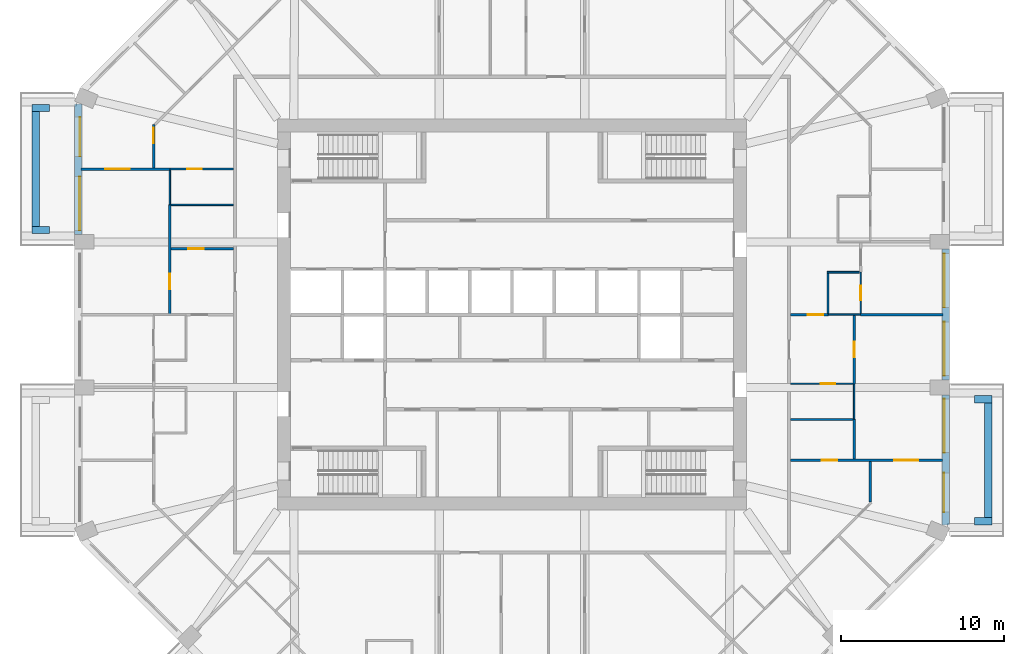
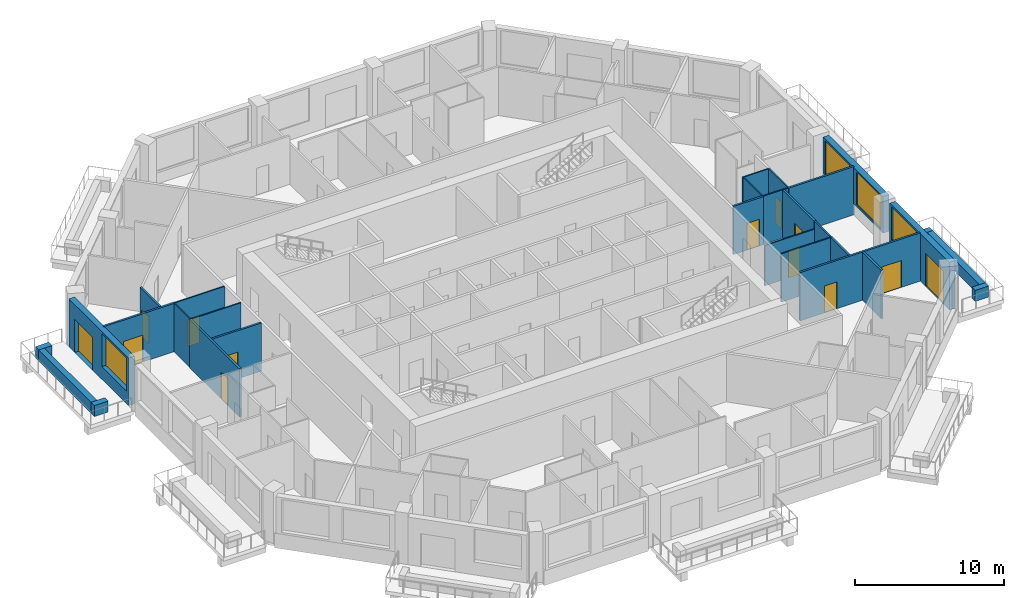
# One storey, part 7 of 13: 29 walls, 13 doors, 4 windows, 17 openings.
"""IFC4 building model written with IfcOpenShell, lengths in metres."""

from ifc_helpers import new_model, si_unit, direction, frame, frame_2d, origin, place, context, subcontext, project, spatial, rectangle, extrude, material, layer, layer_set, type_object, element, fill, save


model = new_model("IFC4")

# Units and contexts
model_context = context("Model", 3, precision=1e-05, world=origin(), true_north=direction((0.0, 1.0)))
body_context = subcontext(model_context, "Body", "Model", "MODEL_VIEW")
ifc_project = project(units=[si_unit("LENGTHUNIT", "METRE"), si_unit("AREAUNIT", "SQUARE_METRE"), si_unit("VOLUMEUNIT", "CUBIC_METRE"), si_unit("PLANEANGLEUNIT", "RADIAN"), si_unit("MASSUNIT", "GRAM", prefix="KILO")], contexts=[model_context])

# Site, building, storey
site_placement = place(None, origin())
site = spatial("IfcSite", under=ifc_project, at=site_placement, CompositionType="ELEMENT")
building_placement = place(site_placement, origin())
building = spatial("IfcBuilding", under=site, at=building_placement, Name="Msitu Wima Residences", CompositionType="ELEMENT")
storey_placement = place(building_placement, frame((0.0, 0.0, 135.89990234375)))
storey = spatial("IfcBuildingStorey", under=building, at=storey_placement, Name="L31", CompositionType="ELEMENT", Elevation=135.89990234375)

# Walls
ifc_material_1 = material(Name="Facing brick")
ifc_layer_1 = layer(ifc_material_1, 0.06494140625, Name="Facing brick")
ifc_material_2 = material(Name="Concrete C40/50", Category="concrete")
ifc_layer_2 = layer(ifc_material_2, 0.156005859375, Name="Concrete C40/50")
ifc_material_3 = material(Name="Waterproofing membrane")
ifc_layer_3 = layer(ifc_material_3, 0.00390625, Name="Waterproofing membrane")
ifc_material_4 = material(Name="Planting soil and planting")
ifc_layer_4 = layer(ifc_material_4, 0.22509765625, Name="Planting soil and planting")
ifc_layer_set_1 = layer_set([ifc_layer_1, ifc_layer_2, ifc_layer_3, ifc_layer_4], Name="Concrete C40/50")
wall_type_1 = type_object("IfcWallType", Name="Balcony planter PLANTER PL450", PredefinedType="USERDEFINED", material=ifc_layer_set_1)
wall_1_placement = place(storey_placement, frame((29.22509765625, -12.455810546875, 0.0), z_axis=(0.0, 0.0, 1.0), x_axis=(0.0, 1.0, 0.0)))
element("IfcWall", 1, at=wall_1_placement, inside=storey, type_object=wall_type_1, Name="Balcony planter E0 L31", ObjectType="PLANTER", PredefinedType="USERDEFINED", context=body_context, shape_type="SweptSolid", body=[
    extrude(rectangle(XDim=7.037109375, YDim=0.449951171875, at=frame_2d((3.5185546875, 0.0))), origin(), (0.0, 0.0, 1.0), 0.900146484375),
])
for number, where, z_axis, x_axis, name in (
    (2, (28.39990234375, -12.680908203125, 0.0), (0.0, 0.0, 1.0), (1.0, 0.0, 0.0), "Balcony planter E0 L31"),
    (3, (28.39990234375, -5.193603515625, 0.0), (0.0, 0.0, 1.0), (1.0, 0.0, 0.0), "Balcony planter E0 L31"),
):
    element("IfcWall", number, at=place(storey_placement, frame(where, z_axis=z_axis, x_axis=x_axis)), inside=storey, type_object=wall_type_1, Name=name, ObjectType="PLANTER", PredefinedType="USERDEFINED", context=body_context, shape_type="SweptSolid", body=[
        extrude(rectangle(XDim=1.050048828125, YDim=0.449951171875, at=frame_2d((0.52490234375, 0.0))), origin(), (0.0, 0.0, 1.0), 0.900146484375),
    ])
wall_2_placement = place(storey_placement, frame((-29.22509765625, 12.455810546875, 0.0), z_axis=(0.0, 0.0, 1.0), x_axis=(0.0, -1.0, 0.0)))
element("IfcWall", 4, at=wall_2_placement, inside=storey, type_object=wall_type_1, Name="Balcony planter W0 L31", ObjectType="PLANTER", PredefinedType="USERDEFINED", context=body_context, shape_type="SweptSolid", body=[
    extrude(rectangle(XDim=7.037109375, YDim=0.449951171875, at=frame_2d((3.5185546875, 0.0))), origin(), (0.0, 0.0, 1.0), 0.900146484375),
])
for number, where, z_axis, x_axis, name in (
    (5, (-28.39990234375, 12.680908203125, 0.0), (0.0, 0.0, 1.0), (-1.0, 0.0, 0.0), "Balcony planter W0 L31"),
    (6, (-28.39990234375, 5.193603515625, 0.0), (0.0, 0.0, 1.0), (-1.0, 0.0, 0.0), "Balcony planter W0 L31"),
):
    element("IfcWall", number, at=place(storey_placement, frame(where, z_axis=z_axis, x_axis=x_axis)), inside=storey, type_object=wall_type_1, Name=name, ObjectType="PLANTER", PredefinedType="USERDEFINED", context=body_context, shape_type="SweptSolid", body=[
        extrude(rectangle(XDim=1.050048828125, YDim=0.449951171875, at=frame_2d((0.52490234375, 0.0))), origin(), (0.0, 0.0, 1.0), 0.900146484375),
    ])

# Wall, openings, door, window
ifc_material_5 = material(Name="Brick (red buff mix)", Category="masonry")
ifc_layer_5 = layer(ifc_material_5, 0.449951171875)
ifc_layer_set_2 = layer_set([ifc_layer_5], Name="Brick (red buff mix)")
wall_type_2 = type_object("IfcWallType", Name="Brick infill wall BW450", PredefinedType="SOLIDWALL", material=ifc_layer_set_2)
wall_3_placement = place(storey_placement, frame((26.625, -12.918701171875, 0.0), z_axis=(0.0, 0.0, 1.0), x_axis=(0.0, 1.0, 0.0)))
wall_3 = element("IfcWall", 7, at=wall_3_placement, inside=storey, type_object=wall_type_2, Name="Brick infill wall L31 E0", PredefinedType="SOLIDWALL", context=body_context, shape_type="SweptSolid", body=[
    extrude(rectangle(XDim=8.0, YDim=0.449951171875, at=frame_2d((4.0, 0.0))), origin(), (0.0, 0.0, 1.0), 3.900146484375),
])
opening_1_placement = place(wall_3_placement, frame((0.800048828125, 0.0, 0.0)))
opening_1 = element("IfcOpeningElement", 8, at=opening_1_placement, cuts=wall_3, Name="Opening D30-32.001", PredefinedType="OPENING", context=body_context, shape_type="SweptSolid", body=[
    extrude(rectangle(XDim=2.39990234375, YDim=2.699951171875, at=frame_2d((1.199951171875, 1.35009765625))), frame((0.0, 0.23486328125, 0.0), z_axis=(0.0, -1.0, 0.0), x_axis=(1.0, 0.0, 0.0)), (0.0, 0.0, 1.0), 0.469970703125),
])
opening_2_placement = place(wall_3_placement, frame((4.4501953125, 0.0, 1.050048828125)))
opening_2 = element("IfcOpeningElement", 9, at=opening_2_placement, cuts=wall_3, Name="Opening W30-32.001", PredefinedType="OPENING", context=body_context, shape_type="SweptSolid", body=[
    extrude(rectangle(XDim=3.300048828125, YDim=2.699951171875, at=frame_2d((1.64990234375, 1.35009765625))), frame((0.0, 0.23486328125, 0.0), z_axis=(0.0, -1.0, 0.0), x_axis=(1.0, 0.0, 0.0)), (0.0, 0.0, 1.0), 0.469970703125),
])
ifc_material_6 = material(Name="Anodised aluminium, bronze finish, clear low-emissivity double glazing", Category="aluminium")
door_type_1 = type_object("IfcDoorType", Name="Balcony door D2400x2700", OperationType="SLIDING_TO_LEFT", PredefinedType="DOOR", material=ifc_material_6)
door_1_placement = place(opening_1_placement, origin())
door_1 = element("IfcDoor", 10, at=door_1_placement, inside=storey, type_object=door_type_1, Name="Balcony door L31 E0", OperationType="SINGLE_SWING_LEFT", OverallHeight=2.699951171875, OverallWidth=2.39990234375, PredefinedType="DOOR", context=body_context, shape_type="SweptSolid", body=[
    extrude(rectangle(XDim=2.39990234375, YDim=2.699951171875, at=frame_2d((1.199951171875, 1.35009765625))), frame((0.0, 0.1298828125, 0.0), z_axis=(0.0, -1.0, 0.0), x_axis=(1.0, 0.0, 0.0)), (0.0, 0.0, 1.0), 0.050048828125),
])
fill(opening_1, door_1)
window_type = type_object("IfcWindowType", Name="Window W3300x2700", PartitioningType="DOUBLE_PANEL_VERTICAL", PredefinedType="WINDOW", material=ifc_material_6)
window_1_placement = place(opening_2_placement, origin())
window_1 = element("IfcWindow", 11, at=window_1_placement, inside=storey, type_object=window_type, Name="Window L31 E0.2", OverallHeight=2.699951171875, OverallWidth=3.300048828125, PartitioningType="SINGLE_PANEL", PredefinedType="WINDOW", context=body_context, shape_type="SweptSolid", body=[
    extrude(rectangle(XDim=3.300048828125, YDim=2.699951171875, at=frame_2d((1.64990234375, 1.35009765625))), frame((0.0, 0.135009765625, 0.0), z_axis=(0.0, -1.0, 0.0), x_axis=(1.0, 0.0, 0.0)), (0.0, 0.0, 1.0), 0.06005859375),
])
fill(opening_2, window_1)

# Wall, openings, windows
wall_4_placement = place(storey_placement, frame((26.625, -4.0185546875, 0.900146484375), z_axis=(0.0, 0.0, 1.0), x_axis=(0.0, 1.0, 0.0)))
wall_4 = element("IfcWall", 12, at=wall_4_placement, inside=storey, type_object=wall_type_2, Name="Brick infill wall L31 E1", PredefinedType="SOLIDWALL", context=body_context, shape_type="SweptSolid", body=[
    extrude(rectangle(XDim=8.037109375, YDim=0.449951171875, at=frame_2d((4.0185546875, 0.0))), origin(), (0.0, 0.0, 1.0), 3.0),
])
opening_3_placement = place(wall_4_placement, frame((0.2685546875, 0.0, 0.14990234375)))
opening_3 = element("IfcOpeningElement", 13, at=opening_3_placement, cuts=wall_4, Name="Opening W30-32.002", PredefinedType="OPENING", context=body_context, shape_type="SweptSolid", body=[
    extrude(rectangle(XDim=3.300048828125, YDim=2.699951171875, at=frame_2d((1.64990234375, 1.35009765625))), frame((0.0, 0.23486328125, 0.0), z_axis=(0.0, -1.0, 0.0), x_axis=(1.0, 0.0, 0.0)), (0.0, 0.0, 1.0), 0.469970703125),
])
opening_4_placement = place(wall_4_placement, frame((4.46875, 0.0, 0.14990234375)))
opening_4 = element("IfcOpeningElement", 14, at=opening_4_placement, cuts=wall_4, Name="Opening W30-32.003", PredefinedType="OPENING", context=body_context, shape_type="SweptSolid", body=[
    extrude(rectangle(XDim=3.300048828125, YDim=2.699951171875, at=frame_2d((1.64990234375, 1.35009765625))), frame((0.0, 0.23486328125, 0.0), z_axis=(0.0, -1.0, 0.0), x_axis=(1.0, 0.0, 0.0)), (0.0, 0.0, 1.0), 0.469970703125),
])
window_2_placement = place(opening_3_placement, origin())
window_2 = element("IfcWindow", 15, at=window_2_placement, inside=storey, type_object=window_type, Name="Window L31 E1.1", OverallHeight=2.699951171875, OverallWidth=3.300048828125, PartitioningType="SINGLE_PANEL", PredefinedType="WINDOW", context=body_context, shape_type="SweptSolid", body=[
    extrude(rectangle(XDim=3.300048828125, YDim=2.699951171875, at=frame_2d((1.64990234375, 1.35009765625))), frame((0.0, 0.135009765625, 0.0), z_axis=(0.0, -1.0, 0.0), x_axis=(1.0, 0.0, 0.0)), (0.0, 0.0, 1.0), 0.06005859375),
])
fill(opening_3, window_2)
window_3_placement = place(opening_4_placement, origin())
window_3 = element("IfcWindow", 16, at=window_3_placement, inside=storey, type_object=window_type, Name="Window L31 E1.2", OverallHeight=2.699951171875, OverallWidth=3.300048828125, PartitioningType="SINGLE_PANEL", PredefinedType="WINDOW", context=body_context, shape_type="SweptSolid", body=[
    extrude(rectangle(XDim=3.300048828125, YDim=2.699951171875, at=frame_2d((1.64990234375, 1.35009765625))), frame((0.0, 0.135009765625, 0.0), z_axis=(0.0, -1.0, 0.0), x_axis=(1.0, 0.0, 0.0)), (0.0, 0.0, 1.0), 0.06005859375),
])
fill(opening_4, window_3)

# Wall, openings, door, window
wall_5_placement = place(storey_placement, frame((-26.625, 12.918701171875, 0.0), z_axis=(0.0, 0.0, 1.0), x_axis=(0.0, -1.0, 0.0)))
wall_5 = element("IfcWall", 17, at=wall_5_placement, inside=storey, type_object=wall_type_2, Name="Brick infill wall L31 W0", PredefinedType="SOLIDWALL", context=body_context, shape_type="SweptSolid", body=[
    extrude(rectangle(XDim=8.0, YDim=0.449951171875, at=frame_2d((4.0, 0.0))), origin(), (0.0, 0.0, 1.0), 3.900146484375),
])
opening_5_placement = place(wall_5_placement, frame((0.800048828125, 0.0, 0.0)))
opening_5 = element("IfcOpeningElement", 18, at=opening_5_placement, cuts=wall_5, Name="Opening D30-32.009", PredefinedType="OPENING", context=body_context, shape_type="SweptSolid", body=[
    extrude(rectangle(XDim=2.39990234375, YDim=2.699951171875, at=frame_2d((1.199951171875, 1.35009765625))), frame((0.0, 0.23486328125, 0.0), z_axis=(0.0, -1.0, 0.0), x_axis=(1.0, 0.0, 0.0)), (0.0, 0.0, 1.0), 0.469970703125),
])
opening_6_placement = place(wall_5_placement, frame((4.4501953125, 0.0, 1.050048828125)))
opening_6 = element("IfcOpeningElement", 19, at=opening_6_placement, cuts=wall_5, Name="Opening W30-32.027", PredefinedType="OPENING", context=body_context, shape_type="SweptSolid", body=[
    extrude(rectangle(XDim=3.300048828125, YDim=2.699951171875, at=frame_2d((1.64990234375, 1.35009765625))), frame((0.0, 0.23486328125, 0.0), z_axis=(0.0, -1.0, 0.0), x_axis=(1.0, 0.0, 0.0)), (0.0, 0.0, 1.0), 0.469970703125),
])
door_2_placement = place(opening_5_placement, origin())
door_2 = element("IfcDoor", 20, at=door_2_placement, inside=storey, type_object=door_type_1, Name="Balcony door L31 W0", OperationType="SINGLE_SWING_LEFT", OverallHeight=2.699951171875, OverallWidth=2.39990234375, PredefinedType="DOOR", context=body_context, shape_type="SweptSolid", body=[
    extrude(rectangle(XDim=2.39990234375, YDim=2.699951171875, at=frame_2d((1.199951171875, 1.35009765625))), frame((0.0, 0.1298828125, 0.0), z_axis=(0.0, -1.0, 0.0), x_axis=(1.0, 0.0, 0.0)), (0.0, 0.0, 1.0), 0.050048828125),
])
fill(opening_5, door_2)
window_4_placement = place(opening_6_placement, origin())
window_4 = element("IfcWindow", 21, at=window_4_placement, inside=storey, type_object=window_type, Name="Window L31 W0.2", OverallHeight=2.699951171875, OverallWidth=3.300048828125, PartitioningType="SINGLE_PANEL", PredefinedType="WINDOW", context=body_context, shape_type="SweptSolid", body=[
    extrude(rectangle(XDim=3.300048828125, YDim=2.699951171875, at=frame_2d((1.64990234375, 1.35009765625))), frame((0.0, 0.135009765625, 0.0), z_axis=(0.0, -1.0, 0.0), x_axis=(1.0, 0.0, 0.0)), (0.0, 0.0, 1.0), 0.06005859375),
])
fill(opening_6, window_4)

# Wall, opening, door
ifc_material_7 = material(Name="Plaster")
ifc_layer_6 = layer(ifc_material_7, 0.011962890625, Name="Plaster")
ifc_material_8 = material(Name="Concrete blockwork", Category="masonry")
ifc_layer_7 = layer(ifc_material_8, 0.1259765625, Name="Concrete blockwork")
ifc_layer_8 = layer(ifc_material_7, 0.011962890625, Name="Plaster")
ifc_layer_set_3 = layer_set([ifc_layer_6, ifc_layer_7, ifc_layer_8], Name="Concrete blockwork")
wall_type_3 = type_object("IfcWallType", Name="Partition PW150", PredefinedType="PARTITIONING", material=ifc_layer_set_3)
wall_6_placement = place(storey_placement, frame((-26.455078125, 8.937255859375, 0.0), z_axis=(0.0, 0.0, 1.0), x_axis=(1.0, 0.0, 0.0)))
wall_6 = element("IfcWall", 22, at=wall_6_placement, inside=storey, type_object=wall_type_3, Name="Partition", PredefinedType="PARTITIONING", context=body_context, shape_type="SweptSolid", body=[
    extrude(rectangle(XDim=5.47509765625, YDim=0.14990234375, at=frame_2d((2.737548828125, 0.0))), origin(), (0.0, 0.0, 1.0), 3.9501953125),
])
opening_7_placement = place(wall_6_placement, frame((1.5, 0.0, 0.0)))
opening_7 = element("IfcOpeningElement", 23, at=opening_7_placement, cuts=wall_6, Name="Opening D30-32.046", PredefinedType="OPENING", context=body_context, shape_type="SweptSolid", body=[
    extrude(rectangle(XDim=1.5, YDim=2.199951171875, at=frame_2d((0.75, 1.10009765625))), frame((0.0, 0.0849609375, 0.0), z_axis=(0.0, -1.0, 0.0), x_axis=(1.0, 0.0, 0.0)), (0.0, 0.0, 1.0), 0.169921875),
])
ifc_material_9 = material(Name="Timber double door", Category="wood")
door_type_2 = type_object("IfcDoorType", Name="Double door D04 1500x2200", OperationType="DOUBLE_DOOR_SINGLE_SWING", PredefinedType="DOOR", material=ifc_material_9)
door_3_placement = place(opening_7_placement, origin())
door_3 = element("IfcDoor", 24, at=door_3_placement, inside=storey, type_object=door_type_2, Name="Double door", OperationType="DOUBLE_DOOR_SINGLE_SWING", OverallHeight=2.199951171875, OverallWidth=1.5, PredefinedType="DOOR", context=body_context, shape_type="SweptSolid", body=[
    extrude(rectangle(XDim=1.5, YDim=2.199951171875, at=frame_2d((0.75, 1.10009765625))), frame((0.0, 0.02490234375, 0.0), z_axis=(0.0, -1.0, 0.0), x_axis=(1.0, 0.0, 0.0)), (0.0, 0.0, 1.0), 0.050048828125),
])
fill(opening_7, door_3)

wall_7_placement = place(storey_placement, frame((-22.0, 9.01220703125, 0.0), z_axis=(0.0, 0.0, 1.0), x_axis=(0.0, 1.0, 0.0)))
wall_7 = element("IfcWall", 25, at=wall_7_placement, inside=storey, type_object=wall_type_3, Name="Partition", PredefinedType="PARTITIONING", context=body_context, shape_type="SweptSolid", body=[
    extrude(rectangle(XDim=2.646240234375, YDim=0.14990234375, at=frame_2d((1.3232421875, 0.0))), origin(), (0.0, 0.0, 1.0), 3.9501953125),
])
opening_8_placement = place(wall_7_placement, frame((1.5, 0.0, 0.0)))
opening_8 = element("IfcOpeningElement", 26, at=opening_8_placement, cuts=wall_7, Name="Opening D30-32.055", PredefinedType="OPENING", context=body_context, shape_type="SweptSolid", body=[
    extrude(rectangle(XDim=0.949951171875, YDim=2.199951171875, at=frame_2d((0.47509765625, 1.10009765625))), frame((0.0, 0.0849609375, 0.0), z_axis=(0.0, -1.0, 0.0), x_axis=(1.0, 0.0, 0.0)), (0.0, 0.0, 1.0), 0.169921875),
])
ifc_material_10 = material(Name="Timber flush door", Category="wood")
door_type_3 = type_object("IfcDoorType", Name="Room door D12 950x2200", OperationType="SINGLE_SWING_LEFT", PredefinedType="DOOR", material=ifc_material_10)
door_4_placement = place(opening_8_placement, origin())
door_4 = element("IfcDoor", 27, at=door_4_placement, inside=storey, type_object=door_type_3, Name="Room door", OperationType="SINGLE_SWING_LEFT", OverallHeight=2.199951171875, OverallWidth=0.949951171875, PredefinedType="DOOR", context=body_context, shape_type="SweptSolid", body=[
    extrude(rectangle(XDim=0.949951171875, YDim=2.199951171875, at=frame_2d((0.47509765625, 1.10009765625))), frame((0.0, 0.02490234375, 0.0), z_axis=(0.0, -1.0, 0.0), x_axis=(1.0, 0.0, 0.0)), (0.0, 0.0, 1.0), 0.050048828125),
])
fill(opening_8, door_4)

wall_8_placement = place(storey_placement, frame((-21.0, 0.050048828125, 0.0), z_axis=(0.0, 0.0, 1.0), x_axis=(0.0, 1.0, 0.0)))
wall_8 = element("IfcWall", 28, at=wall_8_placement, inside=storey, type_object=wall_type_3, Name="Partition", PredefinedType="PARTITIONING", context=body_context, shape_type="SweptSolid", body=[
    extrude(rectangle(XDim=6.707275390625, YDim=0.14990234375, at=frame_2d((3.353515625, 0.0))), origin(), (0.0, 0.0, 1.0), 3.9501953125),
])
opening_9_placement = place(wall_8_placement, frame((1.5, 0.0, 0.0)))
opening_9 = element("IfcOpeningElement", 29, at=opening_9_placement, cuts=wall_8, Name="Opening D30-32.045", PredefinedType="OPENING", context=body_context, shape_type="SweptSolid", body=[
    extrude(rectangle(XDim=0.949951171875, YDim=2.199951171875, at=frame_2d((0.47509765625, 1.10009765625))), frame((0.0, 0.0849609375, 0.0), z_axis=(0.0, -1.0, 0.0), x_axis=(1.0, 0.0, 0.0)), (0.0, 0.0, 1.0), 0.169921875),
])
door_5_placement = place(opening_9_placement, origin())
door_5 = element("IfcDoor", 30, at=door_5_placement, inside=storey, type_object=door_type_3, Name="Room door", OperationType="SINGLE_SWING_LEFT", OverallHeight=2.199951171875, OverallWidth=0.949951171875, PredefinedType="DOOR", context=body_context, shape_type="SweptSolid", body=[
    extrude(rectangle(XDim=0.949951171875, YDim=2.199951171875, at=frame_2d((0.47509765625, 1.10009765625))), frame((0.0, 0.02490234375, 0.0), z_axis=(0.0, -1.0, 0.0), x_axis=(1.0, 0.0, 0.0)), (0.0, 0.0, 1.0), 0.050048828125),
])
fill(opening_9, door_5)

wall_9_placement = place(storey_placement, frame((-20.925048828125, 4.037353515625, 0.0), z_axis=(0.0, 0.0, 1.0), x_axis=(1.0, 0.0, 0.0)))
wall_9 = element("IfcWall", 31, at=wall_9_placement, inside=storey, type_object=wall_type_3, Name="Partition", PredefinedType="PARTITIONING", context=body_context, shape_type="SweptSolid", body=[
    extrude(rectangle(XDim=3.824951171875, YDim=0.14990234375, at=frame_2d((1.91259765625, 0.0))), origin(), (0.0, 0.0, 1.0), 3.9501953125),
])
opening_10_placement = place(wall_9_placement, frame((1.050048828125, 0.0, 0.0)))
opening_10 = element("IfcOpeningElement", 32, at=opening_10_placement, cuts=wall_9, Name="Opening D30-32.053", PredefinedType="OPENING", context=body_context, shape_type="SweptSolid", body=[
    extrude(rectangle(XDim=0.949951171875, YDim=2.199951171875, at=frame_2d((0.47509765625, 1.10009765625))), frame((0.0, 0.0849609375, 0.0), z_axis=(0.0, -1.0, 0.0), x_axis=(1.0, 0.0, 0.0)), (0.0, 0.0, 1.0), 0.169921875),
])
door_6_placement = place(opening_10_placement, origin())
door_6 = element("IfcDoor", 33, at=door_6_placement, inside=storey, type_object=door_type_3, Name="Room door", OperationType="SINGLE_SWING_LEFT", OverallHeight=2.199951171875, OverallWidth=0.949951171875, PredefinedType="DOOR", context=body_context, shape_type="SweptSolid", body=[
    extrude(rectangle(XDim=0.949951171875, YDim=2.199951171875, at=frame_2d((0.47509765625, 1.10009765625))), frame((0.0, 0.02490234375, 0.0), z_axis=(0.0, -1.0, 0.0), x_axis=(1.0, 0.0, 0.0)), (0.0, 0.0, 1.0), 0.050048828125),
])
fill(opening_10, door_6)

# Wall, openings, doors
wall_10_placement = place(storey_placement, frame((17.10009765625, -8.937255859375, 0.0), z_axis=(0.0, 0.0, 1.0), x_axis=(1.0, 0.0, 0.0)))
wall_10 = element("IfcWall", 34, at=wall_10_placement, inside=storey, type_object=wall_type_3, Name="Partition", PredefinedType="PARTITIONING", context=body_context, shape_type="SweptSolid", body=[
    extrude(rectangle(XDim=9.324951171875, YDim=0.14990234375, at=frame_2d((4.66259765625, 0.0))), origin(), (0.0, 0.0, 1.0), 3.9501953125),
])
opening_11_placement = place(wall_10_placement, frame((6.35009765625, 0.0, 0.0)))
opening_11 = element("IfcOpeningElement", 35, at=opening_11_placement, cuts=wall_10, Name="Opening D30-32.081", PredefinedType="OPENING", context=body_context, shape_type="SweptSolid", body=[
    extrude(rectangle(XDim=1.5, YDim=2.199951171875, at=frame_2d((0.75, 1.10009765625))), frame((0.0, 0.0849609375, 0.0), z_axis=(0.0, -1.0, 0.0), x_axis=(1.0, 0.0, 0.0)), (0.0, 0.0, 1.0), 0.169921875),
])
opening_12_placement = place(wall_10_placement, frame((1.89990234375, 0.0, 0.0)))
opening_12 = element("IfcOpeningElement", 36, at=opening_12_placement, cuts=wall_10, Name="Opening D30-32.087", PredefinedType="OPENING", context=body_context, shape_type="SweptSolid", body=[
    extrude(rectangle(XDim=0.949951171875, YDim=2.199951171875, at=frame_2d((0.47509765625, 1.10009765625))), frame((0.0, 0.0849609375, 0.0), z_axis=(0.0, -1.0, 0.0), x_axis=(1.0, 0.0, 0.0)), (0.0, 0.0, 1.0), 0.169921875),
])
door_7_placement = place(opening_11_placement, origin())
door_7 = element("IfcDoor", 37, at=door_7_placement, inside=storey, type_object=door_type_2, Name="Double door", OperationType="DOUBLE_DOOR_SINGLE_SWING", OverallHeight=2.199951171875, OverallWidth=1.5, PredefinedType="DOOR", context=body_context, shape_type="SweptSolid", body=[
    extrude(rectangle(XDim=1.5, YDim=2.199951171875, at=frame_2d((0.75, 1.10009765625))), frame((0.0, 0.02490234375, 0.0), z_axis=(0.0, -1.0, 0.0), x_axis=(1.0, 0.0, 0.0)), (0.0, 0.0, 1.0), 0.050048828125),
])
fill(opening_11, door_7)
door_8_placement = place(opening_12_placement, origin())
door_8 = element("IfcDoor", 38, at=door_8_placement, inside=storey, type_object=door_type_3, Name="Room door", OperationType="SINGLE_SWING_RIGHT", OverallHeight=2.199951171875, OverallWidth=0.949951171875, PredefinedType="DOOR", context=body_context, shape_type="SweptSolid", body=[
    extrude(rectangle(XDim=0.949951171875, YDim=2.199951171875, at=frame_2d((0.47509765625, 1.10009765625))), frame((0.0, 0.02490234375, 0.0), z_axis=(0.0, -1.0, 0.0), x_axis=(1.0, 0.0, 0.0)), (0.0, 0.0, 1.0), 0.050048828125),
])
fill(opening_12, door_8)

# Wall, opening, door
wall_11_placement = place(storey_placement, frame((17.10009765625, 0.0, 0.0), z_axis=(0.0, 0.0, 1.0), x_axis=(1.0, 0.0, 0.0)))
wall_11 = element("IfcWall", 39, at=wall_11_placement, inside=storey, type_object=wall_type_3, Name="Partition", PredefinedType="PARTITIONING", context=body_context, shape_type="SweptSolid", body=[
    extrude(rectangle(XDim=2.31982421875, YDim=0.14990234375, at=frame_2d((1.159912109375, 0.0))), origin(), (0.0, 0.0, 1.0), 3.9501953125),
])
opening_13_placement = place(wall_11_placement, frame((1.050048828125, 0.0, 0.0)))
opening_13 = element("IfcOpeningElement", 40, at=opening_13_placement, cuts=wall_11, Name="Opening D30-32.076", PredefinedType="OPENING", context=body_context, shape_type="SweptSolid", body=[
    extrude(rectangle(XDim=0.949951171875, YDim=2.199951171875, at=frame_2d((0.47509765625, 1.10009765625))), frame((0.0, 0.0849609375, 0.0), z_axis=(0.0, -1.0, 0.0), x_axis=(1.0, 0.0, 0.0)), (0.0, 0.0, 1.0), 0.169921875),
])
door_9_placement = place(opening_13_placement, origin())
door_9 = element("IfcDoor", 41, at=door_9_placement, inside=storey, type_object=door_type_3, Name="Room door", OperationType="SINGLE_SWING_RIGHT", OverallHeight=2.199951171875, OverallWidth=0.949951171875, PredefinedType="DOOR", context=body_context, shape_type="SweptSolid", body=[
    extrude(rectangle(XDim=0.949951171875, YDim=2.199951171875, at=frame_2d((0.47509765625, 1.10009765625))), frame((0.0, 0.02490234375, 0.0), z_axis=(0.0, -1.0, 0.0), x_axis=(1.0, 0.0, 0.0)), (0.0, 0.0, 1.0), 0.050048828125),
])
fill(opening_13, door_9)

# Wall
wall_12_placement = place(storey_placement, frame((21.0, -8.8623046875, 0.0), z_axis=(0.0, 0.0, 1.0), x_axis=(0.0, 1.0, 0.0)))
element("IfcWall", 42, at=wall_12_placement, inside=storey, type_object=wall_type_3, Name="Partition", PredefinedType="PARTITIONING", context=body_context, shape_type="SweptSolid", body=[
    extrude(rectangle(XDim=2.445068359375, YDim=0.14990234375, at=frame_2d((1.22265625, 0.0))), origin(), (0.0, 0.0, 1.0), 3.9501953125),
])

# Wall, opening, door
wall_13_placement = place(storey_placement, frame((21.0, -4.25732421875, 0.0), z_axis=(0.0, 0.0, 1.0), x_axis=(0.0, 1.0, 0.0)))
wall_13 = element("IfcWall", 43, at=wall_13_placement, inside=storey, type_object=wall_type_3, Name="Partition", PredefinedType="PARTITIONING", context=body_context, shape_type="SweptSolid", body=[
    extrude(rectangle(XDim=4.207275390625, YDim=0.14990234375, at=frame_2d((2.103515625, 0.0))), origin(), (0.0, 0.0, 1.0), 3.9501953125),
])
opening_14_placement = place(wall_13_placement, frame((1.64990234375, 0.0, 0.0)))
opening_14 = element("IfcOpeningElement", 44, at=opening_14_placement, cuts=wall_13, Name="Opening D30-32.074", PredefinedType="OPENING", context=body_context, shape_type="SweptSolid", body=[
    extrude(rectangle(XDim=0.949951171875, YDim=2.199951171875, at=frame_2d((0.47509765625, 1.10009765625))), frame((0.0, 0.0849609375, 0.0), z_axis=(0.0, -1.0, 0.0), x_axis=(1.0, 0.0, 0.0)), (0.0, 0.0, 1.0), 0.169921875),
])
door_10_placement = place(opening_14_placement, origin())
door_10 = element("IfcDoor", 45, at=door_10_placement, inside=storey, type_object=door_type_3, Name="Room door", OperationType="SINGLE_SWING_LEFT", OverallHeight=2.199951171875, OverallWidth=0.949951171875, PredefinedType="DOOR", context=body_context, shape_type="SweptSolid", body=[
    extrude(rectangle(XDim=0.949951171875, YDim=2.199951171875, at=frame_2d((0.47509765625, 1.10009765625))), frame((0.0, 0.02490234375, 0.0), z_axis=(0.0, -1.0, 0.0), x_axis=(1.0, 0.0, 0.0)), (0.0, 0.0, 1.0), 0.050048828125),
])
fill(opening_14, door_10)

# Walls
wall_14_placement = place(storey_placement, frame((21.3798828125, 0.0, 0.0), z_axis=(0.0, 0.0, 1.0), x_axis=(1.0, 0.0, 0.0)))
element("IfcWall", 46, at=wall_14_placement, inside=storey, type_object=wall_type_3, Name="Partition", PredefinedType="PARTITIONING", context=body_context, shape_type="SweptSolid", body=[
    extrude(rectangle(XDim=5.0751953125, YDim=0.14990234375, at=frame_2d((2.53759765625, 0.0))), origin(), (0.0, 0.0, 1.0), 3.9501953125),
])
wall_15_placement = place(storey_placement, frame((22.0, -11.50830078125, 0.0), z_axis=(0.0, 0.0, 1.0), x_axis=(0.0, 1.0, 0.0)))
element("IfcWall", 47, at=wall_15_placement, inside=storey, type_object=wall_type_3, Name="Partition", PredefinedType="PARTITIONING", context=body_context, shape_type="SweptSolid", body=[
    extrude(rectangle(XDim=2.49609375, YDim=0.14990234375, at=frame_2d((1.248046875, 0.0))), origin(), (0.0, 0.0, 1.0), 3.9501953125),
])

# Wall, opening, door
ifc_material_11 = material(Name="Ceramic tiles")
ifc_layer_9 = layer(ifc_material_11, 0.008056640625, Name="Ceramic tiles")
ifc_material_12 = material(Name="Moisture-resistant board")
ifc_layer_10 = layer(ifc_material_12, 0.012451171875, Name="Moisture-resistant board")
ifc_material_13 = material(Name="Light-gauge stud framing with mineral wool")
ifc_layer_11 = layer(ifc_material_13, 0.06689453125, Name="Light-gauge stud framing with mineral wool")
ifc_layer_12 = layer(ifc_material_12, 0.012451171875, Name="Moisture-resistant board")
ifc_layer_set_4 = layer_set([ifc_layer_9, ifc_layer_10, ifc_layer_11, ifc_layer_12], Name="Light-gauge stud framing with mineral wool")
wall_type_4 = type_object("IfcWallType", Name="Wet wall PW100", PredefinedType="PARTITIONING", material=ifc_layer_set_4)
wall_16_placement = place(storey_placement, frame((-20.97998046875, 8.937255859375, 0.0), z_axis=(0.0, 0.0, 1.0), x_axis=(1.0, 0.0, 0.0)))
wall_16 = element("IfcWall", 48, at=wall_16_placement, inside=storey, type_object=wall_type_4, Name="Wet wall", PredefinedType="PARTITIONING", context=body_context, shape_type="SweptSolid", body=[
    extrude(rectangle(XDim=3.8798828125, YDim=0.10009765625, at=frame_2d((1.93994140625, 0.0))), origin(), (0.0, 0.0, 1.0), 3.9501953125),
])
opening_15_placement = place(wall_16_placement, frame((1.050048828125, 0.0, 0.0)))
opening_15 = element("IfcOpeningElement", 49, at=opening_15_placement, cuts=wall_16, Name="Opening D30-32.058", PredefinedType="OPENING", context=body_context, shape_type="SweptSolid", body=[
    extrude(rectangle(XDim=0.89990234375, YDim=2.199951171875, at=frame_2d((0.449951171875, 1.10009765625))), frame((0.0, 0.06005859375, 0.0), z_axis=(0.0, -1.0, 0.0), x_axis=(1.0, 0.0, 0.0)), (0.0, 0.0, 1.0), 0.1201171875),
])
ifc_material_14 = material(Name="Timber flush door, moisture resistant", Category="wood")
door_type_4 = type_object("IfcDoorType", Name="Bathroom door D03 900x2200", OperationType="SINGLE_SWING_LEFT", PredefinedType="DOOR", material=ifc_material_14)
door_11_placement = place(opening_15_placement, origin())
door_11 = element("IfcDoor", 50, at=door_11_placement, inside=storey, type_object=door_type_4, Name="Bathroom door", OperationType="SINGLE_SWING_RIGHT", OverallHeight=2.199951171875, OverallWidth=0.89990234375, PredefinedType="DOOR", context=body_context, shape_type="SweptSolid", body=[
    extrude(rectangle(XDim=0.89990234375, YDim=2.199951171875, at=frame_2d((0.449951171875, 1.10009765625))), frame((0.0, 0.02490234375, 0.0), z_axis=(0.0, -1.0, 0.0), x_axis=(1.0, 0.0, 0.0)), (0.0, 0.0, 1.0), 0.050048828125),
])
fill(opening_15, door_11)

# Walls
wall_17_placement = place(storey_placement, frame((-21.0, 6.75732421875, 0.0), z_axis=(0.0, 0.0, 1.0), x_axis=(0.0, 1.0, 0.0)))
element("IfcWall", 51, at=wall_17_placement, inside=storey, type_object=wall_type_4, Name="Wet wall", PredefinedType="PARTITIONING", context=body_context, shape_type="SweptSolid", body=[
    extrude(rectangle(XDim=2.10498046875, YDim=0.10009765625, at=frame_2d((1.052490234375, 0.0))), origin(), (0.0, 0.0, 1.0), 3.9501953125),
])
for number, where, z_axis, x_axis, name in (
    (52, (-20.925048828125, 6.7373046875, 0.0), (0.0, 0.0, 1.0), (1.0, 0.0, 0.0), "Wet wall"),
    (53, (17.10009765625, -6.437255859375, 0.0), (0.0, 0.0, 1.0), (1.0, 0.0, 0.0), "Wet wall"),
):
    element("IfcWall", number, at=place(storey_placement, frame(where, z_axis=z_axis, x_axis=x_axis)), inside=storey, type_object=wall_type_4, Name=name, PredefinedType="PARTITIONING", context=body_context, shape_type="SweptSolid", body=[
        extrude(rectangle(XDim=3.824951171875, YDim=0.10009765625, at=frame_2d((1.91259765625, 0.0))), origin(), (0.0, 0.0, 1.0), 3.9501953125),
    ])

# Wall, opening, door
wall_18_placement = place(storey_placement, frame((17.10009765625, -4.2373046875, 0.0), z_axis=(0.0, 0.0, 1.0), x_axis=(1.0, 0.0, 0.0)))
wall_18 = element("IfcWall", 54, at=wall_18_placement, inside=storey, type_object=wall_type_4, Name="Wet wall", PredefinedType="PARTITIONING", context=body_context, shape_type="SweptSolid", body=[
    extrude(rectangle(XDim=3.824951171875, YDim=0.10009765625, at=frame_2d((1.91259765625, 0.0))), origin(), (0.0, 0.0, 1.0), 3.300048828125),
])
opening_16_placement = place(wall_18_placement, frame((1.85009765625, 0.0, 0.0)))
opening_16 = element("IfcOpeningElement", 55, at=opening_16_placement, cuts=wall_18, Name="Opening D30-32.075", PredefinedType="OPENING", context=body_context, shape_type="SweptSolid", body=[
    extrude(rectangle(XDim=0.89990234375, YDim=2.199951171875, at=frame_2d((0.449951171875, 1.10009765625))), frame((0.0, 0.06005859375, 0.0), z_axis=(0.0, -1.0, 0.0), x_axis=(1.0, 0.0, 0.0)), (0.0, 0.0, 1.0), 0.1201171875),
])
door_12_placement = place(opening_16_placement, origin())
door_12 = element("IfcDoor", 56, at=door_12_placement, inside=storey, type_object=door_type_4, Name="Bathroom door", OperationType="SINGLE_SWING_LEFT", OverallHeight=2.199951171875, OverallWidth=0.89990234375, PredefinedType="DOOR", context=body_context, shape_type="SweptSolid", body=[
    extrude(rectangle(XDim=0.89990234375, YDim=2.199951171875, at=frame_2d((0.449951171875, 1.10009765625))), frame((0.0, 0.02490234375, 0.0), z_axis=(0.0, -1.0, 0.0), x_axis=(1.0, 0.0, 0.0)), (0.0, 0.0, 1.0), 0.050048828125),
])
fill(opening_16, door_12)

# Walls
wall_19_placement = place(storey_placement, frame((19.419921875, 0.0, 0.0), z_axis=(0.0, 0.0, 1.0), x_axis=(1.0, 0.0, 0.0)))
element("IfcWall", 57, at=wall_19_placement, inside=storey, type_object=wall_type_4, Name="Wet wall", PredefinedType="PARTITIONING", context=body_context, shape_type="SweptSolid", body=[
    extrude(rectangle(XDim=1.9599609375, YDim=0.10009765625, at=frame_2d((0.97998046875, 0.0))), origin(), (0.0, 0.0, 1.0), 3.9501953125),
])
wall_20_placement = place(storey_placement, frame((19.39990234375, 0.074951171875, 0.0), z_axis=(0.0, 0.0, 1.0), x_axis=(0.0, 1.0, 0.0)))
element("IfcWall", 58, at=wall_20_placement, inside=storey, type_object=wall_type_4, Name="Wet wall", PredefinedType="PARTITIONING", context=body_context, shape_type="SweptSolid", body=[
    extrude(rectangle(XDim=2.47509765625, YDim=0.10009765625, at=frame_2d((1.237548828125, 0.0))), origin(), (0.0, 0.0, 1.0), 3.9501953125),
])
wall_21_placement = place(storey_placement, frame((19.35009765625, 2.60009765625, 0.0), z_axis=(0.0, 0.0, 1.0), x_axis=(1.0, 0.0, 0.0)))
element("IfcWall", 59, at=wall_21_placement, inside=storey, type_object=wall_type_4, Name="Wet wall", PredefinedType="PARTITIONING", context=body_context, shape_type="SweptSolid", body=[
    extrude(rectangle(XDim=1.974853515625, YDim=0.10009765625, at=frame_2d((0.9873046875, 0.0))), origin(), (0.0, 0.0, 1.0), 3.9501953125),
])
wall_22_placement = place(storey_placement, frame((21.0, -6.417236328125, 0.0), z_axis=(0.0, 0.0, 1.0), x_axis=(0.0, 1.0, 0.0)))
element("IfcWall", 60, at=wall_22_placement, inside=storey, type_object=wall_type_4, Name="Wet wall", PredefinedType="PARTITIONING", context=body_context, shape_type="SweptSolid", body=[
    extrude(rectangle(XDim=2.159912109375, YDim=0.10009765625, at=frame_2d((1.080078125, 0.0))), origin(), (0.0, 0.0, 1.0), 3.9501953125),
])

# Wall, opening, door
wall_23_placement = place(storey_placement, frame((21.39990234375, 0.074951171875, 0.0), z_axis=(0.0, 0.0, 1.0), x_axis=(0.0, 1.0, 0.0)))
wall_23 = element("IfcWall", 61, at=wall_23_placement, inside=storey, type_object=wall_type_4, Name="Wet wall", PredefinedType="PARTITIONING", context=body_context, shape_type="SweptSolid", body=[
    extrude(rectangle(XDim=2.545166015625, YDim=0.10009765625, at=frame_2d((1.2724609375, 0.0))), origin(), (0.0, 0.0, 1.0), 3.9501953125),
])
opening_17_placement = place(wall_23_placement, frame((0.800048828125, 0.0, 0.0)))
opening_17 = element("IfcOpeningElement", 62, at=opening_17_placement, cuts=wall_23, Name="Opening D30-32.080", PredefinedType="OPENING", context=body_context, shape_type="SweptSolid", body=[
    extrude(rectangle(XDim=0.89990234375, YDim=2.199951171875, at=frame_2d((0.449951171875, 1.10009765625))), frame((0.0, 0.06005859375, 0.0), z_axis=(0.0, -1.0, 0.0), x_axis=(1.0, 0.0, 0.0)), (0.0, 0.0, 1.0), 0.1201171875),
])
door_13_placement = place(opening_17_placement, origin())
door_13 = element("IfcDoor", 63, at=door_13_placement, inside=storey, type_object=door_type_4, Name="Bathroom door", OperationType="SINGLE_SWING_RIGHT", OverallHeight=2.199951171875, OverallWidth=0.89990234375, PredefinedType="DOOR", context=body_context, shape_type="SweptSolid", body=[
    extrude(rectangle(XDim=0.89990234375, YDim=2.199951171875, at=frame_2d((0.449951171875, 1.10009765625))), frame((0.0, 0.02490234375, 0.0), z_axis=(0.0, -1.0, 0.0), x_axis=(1.0, 0.0, 0.0)), (0.0, 0.0, 1.0), 0.050048828125),
])
fill(opening_17, door_13)

save(model, "model.ifc")
